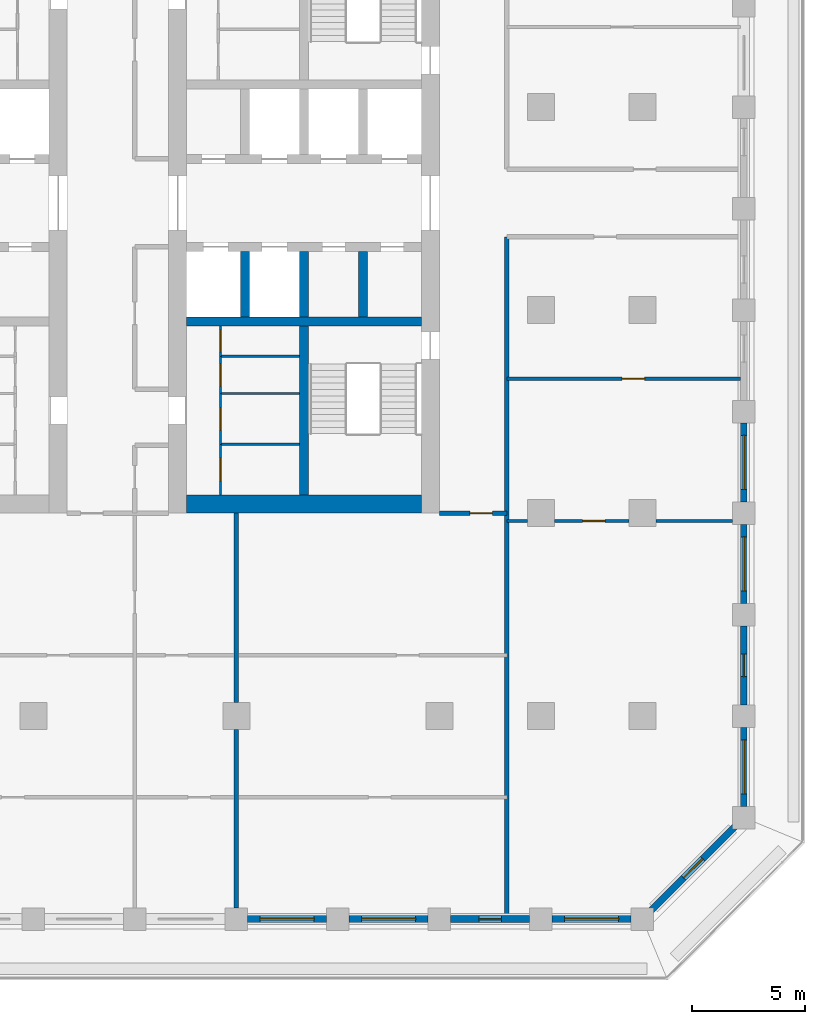
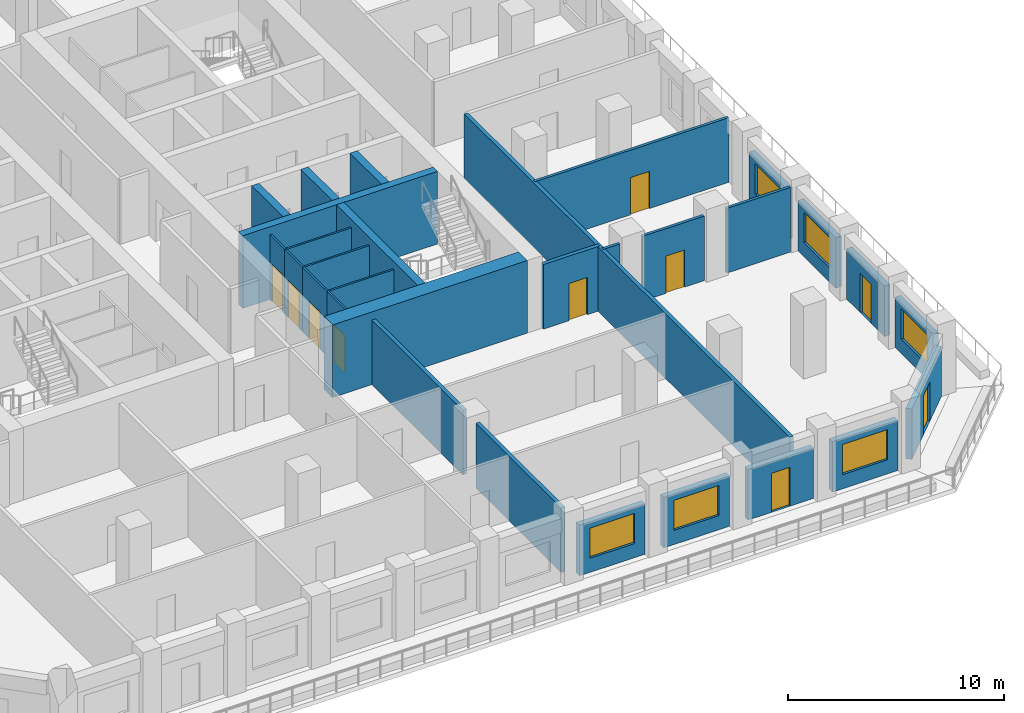
# One storey, part 4 of 16: 30 walls, 10 doors, 6 windows, 16 openings.
"""IFC4 building model written with IfcOpenShell, lengths in metres."""

from ifc_helpers import new_model, si_unit, direction, frame, frame_2d, origin, place, context, subcontext, project, spatial, rectangle, extrude, material, layer, layer_set, type_object, element, fill, save


model = new_model("IFC4")

# Units and contexts
model_context = context("Model", 3, precision=1e-05, world=origin(), true_north=direction((0.0, 1.0)))
body_context = subcontext(model_context, "Body", "Model", "MODEL_VIEW")
ifc_project = project(units=[si_unit("LENGTHUNIT", "METRE"), si_unit("AREAUNIT", "SQUARE_METRE"), si_unit("VOLUMEUNIT", "CUBIC_METRE"), si_unit("PLANEANGLEUNIT", "RADIAN"), si_unit("MASSUNIT", "GRAM", prefix="KILO")], contexts=[model_context])

# Site, building, storey
site_placement = place(None, origin())
site = spatial("IfcSite", under=ifc_project, at=site_placement, CompositionType="ELEMENT")
building_placement = place(site_placement, origin())
building = spatial("IfcBuilding", under=site, at=building_placement, Name="Corbel Stack Research Tower", CompositionType="ELEMENT")
storey_placement = place(building_placement, frame((0.0, 0.0, 212.0)))
storey = spatial("IfcBuildingStorey", under=building, at=storey_placement, Name="L48", CompositionType="ELEMENT", Elevation=212.0)

# Walls
ifc_material_1 = material(Name="Concrete C60/75", Category="concrete")
ifc_layer_1 = layer(ifc_material_1, 0.39990234375)
ifc_layer_set_1 = layer_set([ifc_layer_1], Name="Concrete C60/75")
wall_type_1 = type_object("IfcWallType", Name="CW-400-60", PredefinedType="SHEAR", material=ifc_layer_set_1)
wall_1_placement = place(storey_placement, frame((6.800048828125, -0.5, 0.0), z_axis=(0.0, 0.0, 1.0), x_axis=(1.0, 0.0, 0.0)))
element("IfcWall", 1, at=wall_1_placement, inside=storey, type_object=wall_type_1, Name="East core wall, south row back L48", PredefinedType="SHEAR", context=body_context, shape_type="SweptSolid", body=[
    extrude(rectangle(XDim=10.39990234375, YDim=0.39990234375, at=frame_2d((5.199951171875, 0.0))), origin(), (0.0, 0.0, 1.0), 4.10009765625),
])
for number, where, z_axis, x_axis, name in (
    (2, (9.375, -0.300048828125, 0.0), (0.0, 0.0, 1.0), (0.0, 1.0, 0.0), "East core wall, south shaft 1 L48"),
    (3, (12.0, -0.300048828125, 0.0), (0.0, 0.0, 1.0), (0.0, 1.0, 0.0), "East core wall, south shaft 2 L48"),
    (4, (14.625, -0.300048828125, 0.0), (0.0, 0.0, 1.0), (0.0, 1.0, 0.0), "East core wall, south shaft 3 L48"),
):
    element("IfcWall", number, at=place(storey_placement, frame(where, z_axis=z_axis, x_axis=x_axis)), inside=storey, type_object=wall_type_1, Name=name, PredefinedType="SHEAR", context=body_context, shape_type="SweptSolid", body=[
        extrude(rectangle(XDim=2.900146484375, YDim=0.39990234375, at=frame_2d((1.4501953125, 0.0))), origin(), (0.0, 0.0, 1.0), 4.10009765625),
    ])
wall_2_placement = place(storey_placement, frame((12.0, -8.199951171875, 0.0), z_axis=(0.0, 0.0, 1.0), x_axis=(0.0, 1.0, 0.0)))
element("IfcWall", 5, at=wall_2_placement, inside=storey, type_object=wall_type_1, Name="East core wall, south stair and WC L48", PredefinedType="SHEAR", context=body_context, shape_type="SweptSolid", body=[
    extrude(rectangle(XDim=7.5, YDim=0.39990234375, at=frame_2d((3.75, 0.0))), origin(), (0.0, 0.0, 1.0), 4.10009765625),
])
ifc_material_2 = material(Name="Concrete C60/75", Category="concrete")
ifc_layer_2 = layer(ifc_material_2, 0.800048828125)
ifc_layer_set_2 = layer_set([ifc_layer_2], Name="Concrete C60/75")
wall_type_2 = type_object("IfcWallType", Name="CW-800-60", PredefinedType="SHEAR", material=ifc_layer_set_2)
wall_3_placement = place(storey_placement, frame((6.800048828125, -8.60009765625, 0.0), z_axis=(0.0, 0.0, 1.0), x_axis=(1.0, 0.0, 0.0)))
element("IfcWall", 6, at=wall_3_placement, inside=storey, type_object=wall_type_2, Name="East core wall, south end L48", PredefinedType="SHEAR", context=body_context, shape_type="SweptSolid", body=[
    extrude(rectangle(XDim=10.39990234375, YDim=0.800048828125, at=frame_2d((5.199951171875, 0.0))), origin(), (0.0, 0.0, 1.0), 4.10009765625),
])

# Wall, opening, door
ifc_material_3 = material(Name="Gypsum board")
ifc_layer_3 = layer(ifc_material_3, 0.10009765625)
ifc_layer_set_3 = layer_set([ifc_layer_3], Name="Gypsum board")
wall_type_3 = type_object("IfcWallType", Name="Core partition 100", PredefinedType="PARTITIONING", material=ifc_layer_set_3)
wall_4_placement = place(storey_placement, frame((8.300048828125, -8.199951171875, 0.0), z_axis=(0.0, 0.0, 1.0), x_axis=(0.0, 1.0, 0.0)))
wall_4 = element("IfcWall", 7, at=wall_4_placement, inside=storey, type_object=wall_type_3, Name="Core partition E", PredefinedType="PARTITIONING", context=body_context, shape_type="SweptSolid", body=[
    extrude(rectangle(XDim=2.25, YDim=0.10009765625, at=frame_2d((1.125, 0.0))), origin(), (0.0, 0.0, 1.0), 3.64990234375),
])
opening_1_placement = place(wall_4_placement, frame((0.625, 0.0, 0.0)))
opening_1 = element("IfcOpeningElement", 8, at=opening_1_placement, cuts=wall_4, Name="Opening CR-E42-W2-1000", PredefinedType="OPENING", context=body_context, shape_type="SweptSolid", body=[
    extrude(rectangle(XDim=1.0, YDim=2.10009765625, at=frame_2d((0.5, 1.050048828125))), frame((0.0, 0.06005859375, 0.0), z_axis=(0.0, -1.0, 0.0), x_axis=(1.0, 0.0, 0.0)), (0.0, 0.0, 1.0), 0.1201171875),
])
ifc_material_4 = material(Name="Painted timber door", Category="wood")
door_type_1 = type_object("IfcDoorType", Name="WC door 1000 x 2100 left hand", OperationType="SINGLE_SWING_LEFT", PredefinedType="DOOR", material=ifc_material_4)
door_1_placement = place(opening_1_placement, origin())
door_1 = element("IfcDoor", 9, at=door_1_placement, inside=storey, type_object=door_type_1, Name="Men's WC door E core", OperationType="SINGLE_SWING_LEFT", OverallHeight=2.10009765625, OverallWidth=1.0, PredefinedType="DOOR", context=body_context, shape_type="SweptSolid", body=[
    extrude(rectangle(XDim=1.0, YDim=2.10009765625, at=frame_2d((0.5, 1.050048828125))), frame((0.0, 0.02490234375, 0.0), z_axis=(0.0, -1.0, 0.0), x_axis=(1.0, 0.0, 0.0)), (0.0, 0.0, 1.0), 0.050048828125),
])
fill(opening_1, door_1)

wall_5_placement = place(storey_placement, frame((8.300048828125, -5.949951171875, 0.0), z_axis=(0.0, 0.0, 1.0), x_axis=(0.0, 1.0, 0.0)))
wall_5 = element("IfcWall", 10, at=wall_5_placement, inside=storey, type_object=wall_type_3, Name="Core partition E", PredefinedType="PARTITIONING", context=body_context, shape_type="SweptSolid", body=[
    extrude(rectangle(XDim=2.25, YDim=0.10009765625, at=frame_2d((1.125, 0.0))), origin(), (0.0, 0.0, 1.0), 3.64990234375),
])
opening_2_placement = place(wall_5_placement, frame((0.625, 0.0, 0.0)))
opening_2 = element("IfcOpeningElement", 11, at=opening_2_placement, cuts=wall_5, Name="Opening CR-E42-W3-1000", PredefinedType="OPENING", context=body_context, shape_type="SweptSolid", body=[
    extrude(rectangle(XDim=1.0, YDim=2.10009765625, at=frame_2d((0.5, 1.050048828125))), frame((0.0, 0.06005859375, 0.0), z_axis=(0.0, -1.0, 0.0), x_axis=(1.0, 0.0, 0.0)), (0.0, 0.0, 1.0), 0.1201171875),
])
ifc_material_5 = material(Name="Painted timber door", Category="wood")
door_type_2 = type_object("IfcDoorType", Name="WC door 1000 x 2100 right hand", OperationType="SINGLE_SWING_RIGHT", PredefinedType="DOOR", material=ifc_material_5)
door_2_placement = place(opening_2_placement, origin())
door_2 = element("IfcDoor", 12, at=door_2_placement, inside=storey, type_object=door_type_2, Name="Women's WC door E core", OperationType="SINGLE_SWING_RIGHT", OverallHeight=2.10009765625, OverallWidth=1.0, PredefinedType="DOOR", context=body_context, shape_type="SweptSolid", body=[
    extrude(rectangle(XDim=1.0, YDim=2.10009765625, at=frame_2d((0.5, 1.050048828125))), frame((0.0, 0.02490234375, 0.0), z_axis=(0.0, -1.0, 0.0), x_axis=(1.0, 0.0, 0.0)), (0.0, 0.0, 1.0), 0.050048828125),
])
fill(opening_2, door_2)

wall_6_placement = place(storey_placement, frame((8.300048828125, -3.699951171875, 0.0), z_axis=(0.0, 0.0, 1.0), x_axis=(0.0, 1.0, 0.0)))
wall_6 = element("IfcWall", 13, at=wall_6_placement, inside=storey, type_object=wall_type_3, Name="Core partition E", PredefinedType="PARTITIONING", context=body_context, shape_type="SweptSolid", body=[
    extrude(rectangle(XDim=1.64990234375, YDim=0.10009765625, at=frame_2d((0.824951171875, 0.0))), origin(), (0.0, 0.0, 1.0), 3.64990234375),
])
opening_3_placement = place(wall_6_placement, frame((0.324951171875, 0.0, 0.0)))
opening_3 = element("IfcOpeningElement", 14, at=opening_3_placement, cuts=wall_6, Name="Opening CR-E42-W4-1000", PredefinedType="OPENING", context=body_context, shape_type="SweptSolid", body=[
    extrude(rectangle(XDim=1.0, YDim=2.10009765625, at=frame_2d((0.5, 1.050048828125))), frame((0.0, 0.06005859375, 0.0), z_axis=(0.0, -1.0, 0.0), x_axis=(1.0, 0.0, 0.0)), (0.0, 0.0, 1.0), 0.1201171875),
])
door_3_placement = place(opening_3_placement, origin())
door_3 = element("IfcDoor", 15, at=door_3_placement, inside=storey, type_object=door_type_1, Name="Accessible WC door E core", OperationType="SINGLE_SWING_LEFT", OverallHeight=2.10009765625, OverallWidth=1.0, PredefinedType="DOOR", context=body_context, shape_type="SweptSolid", body=[
    extrude(rectangle(XDim=1.0, YDim=2.10009765625, at=frame_2d((0.5, 1.050048828125))), frame((0.0, 0.02490234375, 0.0), z_axis=(0.0, -1.0, 0.0), x_axis=(1.0, 0.0, 0.0)), (0.0, 0.0, 1.0), 0.050048828125),
])
fill(opening_3, door_3)

wall_7_placement = place(storey_placement, frame((8.300048828125, -2.050048828125, 0.0), z_axis=(0.0, 0.0, 1.0), x_axis=(0.0, 1.0, 0.0)))
wall_7 = element("IfcWall", 16, at=wall_7_placement, inside=storey, type_object=wall_type_3, Name="Core partition E", PredefinedType="PARTITIONING", context=body_context, shape_type="SweptSolid", body=[
    extrude(rectangle(XDim=1.35009765625, YDim=0.10009765625, at=frame_2d((0.675048828125, 0.0))), origin(), (0.0, 0.0, 1.0), 3.64990234375),
])
opening_4_placement = place(wall_7_placement, frame((0.199951171875, 0.0, 0.0)))
opening_4 = element("IfcOpeningElement", 17, at=opening_4_placement, cuts=wall_7, Name="Opening CR-E42-W5-950", PredefinedType="OPENING", context=body_context, shape_type="SweptSolid", body=[
    extrude(rectangle(XDim=0.949951171875, YDim=2.10009765625, at=frame_2d((0.47509765625, 1.050048828125))), frame((0.0, 0.06005859375, 0.0), z_axis=(0.0, -1.0, 0.0), x_axis=(1.0, 0.0, 0.0)), (0.0, 0.0, 1.0), 0.1201171875),
])
ifc_material_6 = material(Name="Painted steel door", Category="steel")
door_type_3 = type_object("IfcDoorType", Name="Service door 950 x 2100 FD30 right hand", OperationType="SINGLE_SWING_RIGHT", PredefinedType="DOOR", material=ifc_material_6)
door_4_placement = place(opening_4_placement, origin())
door_4 = element("IfcDoor", 18, at=door_4_placement, inside=storey, type_object=door_type_3, Name="Cleaner's store door E core", OperationType="SINGLE_SWING_RIGHT", OverallHeight=2.10009765625, OverallWidth=0.949951171875, PredefinedType="DOOR", context=body_context, shape_type="SweptSolid", body=[
    extrude(rectangle(XDim=0.949951171875, YDim=2.10009765625, at=frame_2d((0.47509765625, 1.050048828125))), frame((0.0, 0.02490234375, 0.0), z_axis=(0.0, -1.0, 0.0), x_axis=(1.0, 0.0, 0.0)), (0.0, 0.0, 1.0), 0.050048828125),
])
fill(opening_4, door_4)

# Walls
for number, where, z_axis, x_axis, name in (
    (19, (8.300048828125, -5.949951171875, 0.0), (0.0, 0.0, 1.0), (1.0, 0.0, 0.0), "Core partition E"),
    (20, (8.300048828125, -3.699951171875, 0.0), (0.0, 0.0, 1.0), (1.0, 0.0, 0.0), "Core partition E"),
    (21, (8.300048828125, -2.050048828125, 0.0), (0.0, 0.0, 1.0), (1.0, 0.0, 0.0), "Core partition E"),
):
    element("IfcWall", number, at=place(storey_placement, frame(where, z_axis=z_axis, x_axis=x_axis)), inside=storey, type_object=wall_type_3, Name=name, PredefinedType="PARTITIONING", context=body_context, shape_type="SweptSolid", body=[
        extrude(rectangle(XDim=3.5, YDim=0.10009765625, at=frame_2d((1.75, 0.0))), origin(), (0.0, 0.0, 1.0), 3.64990234375),
    ])
ifc_material_7 = material(Name="Fire-rated gypsum board partition on steel studs", Category="steel")
ifc_layer_4 = layer(ifc_material_7, 0.199951171875)
ifc_layer_set_4 = layer_set([ifc_layer_4], Name="Fire-rated gypsum board partition on steel studs")
wall_type_4 = type_object("IfcWallType", Name="Fire-rated partition 200 EI 60", PredefinedType="PARTITIONING", material=ifc_layer_set_4)
wall_8_placement = place(storey_placement, frame((9.0, -26.5, 0.0), z_axis=(0.0, 0.0, 1.0), x_axis=(0.0, 1.0, 0.0)))
element("IfcWall", 22, at=wall_8_placement, inside=storey, type_object=wall_type_4, Name="Partition L48-010", PredefinedType="PARTITIONING", context=body_context, shape_type="SweptSolid", body=[
    extrude(rectangle(XDim=7.89990234375, YDim=0.199951171875, at=frame_2d((3.949951171875, 0.0))), origin(), (0.0, 0.0, 1.0), 3.64990234375),
])
wall_9_placement = place(storey_placement, frame((9.0, -17.39990234375, 0.0), z_axis=(0.0, 0.0, 1.0), x_axis=(0.0, 1.0, 0.0)))
element("IfcWall", 23, at=wall_9_placement, inside=storey, type_object=wall_type_4, Name="Partition L48-011", PredefinedType="PARTITIONING", context=body_context, shape_type="SweptSolid", body=[
    extrude(rectangle(XDim=8.39990234375, YDim=0.199951171875, at=frame_2d((4.199951171875, 0.0))), origin(), (0.0, 0.0, 1.0), 3.64990234375),
])
wall_10_placement = place(storey_placement, frame((21.0, -26.85009765625, 0.0), z_axis=(0.0, 0.0, 1.0), x_axis=(0.0, 1.0, 0.0)))
element("IfcWall", 24, at=wall_10_placement, inside=storey, type_object=wall_type_4, Name="Partition L48-014", PredefinedType="PARTITIONING", context=body_context, shape_type="SweptSolid", body=[
    extrude(rectangle(XDim=30.10009765625, YDim=0.199951171875, at=frame_2d((15.050048828125, 0.0))), origin(), (0.0, 0.0, 1.0), 3.64990234375),
])

# Wall, opening, door
wall_11_placement = place(storey_placement, frame((21.0, -9.0, 0.0), z_axis=(0.0, 0.0, 1.0), x_axis=(-1.0, 0.0, 0.0)))
wall_11 = element("IfcWall", 25, at=wall_11_placement, inside=storey, type_object=wall_type_4, Name="Partition L48-025", PredefinedType="PARTITIONING", context=body_context, shape_type="SweptSolid", body=[
    extrude(rectangle(XDim=3.0, YDim=0.199951171875, at=frame_2d((1.5, 0.0))), origin(), (0.0, 0.0, 1.0), 3.64990234375),
])
opening_5_placement = place(wall_11_placement, frame((0.64990234375, 0.0, 0.0)))
opening_5 = element("IfcOpeningElement", 26, at=opening_5_placement, cuts=wall_11, Name="Opening B6V1-013", PredefinedType="OPENING", context=body_context, shape_type="SweptSolid", body=[
    extrude(rectangle(XDim=1.0, YDim=2.10009765625, at=frame_2d((0.5, 1.050048828125))), frame((0.0, 0.10986328125, 0.0), z_axis=(0.0, -1.0, 0.0), x_axis=(1.0, 0.0, 0.0)), (0.0, 0.0, 1.0), 0.219970703125),
])
ifc_material_8 = material(Name="Painted steel fire door", Category="steel")
door_type_4 = type_object("IfcDoorType", Name="Fire door FD30S 1000 x 2100", OperationType="NOTDEFINED", PredefinedType="DOOR", material=ifc_material_8)
door_5_placement = place(opening_5_placement, origin())
door_5 = element("IfcDoor", 27, at=door_5_placement, inside=storey, type_object=door_type_4, Name="Door B6V1-013", OperationType="SINGLE_SWING_LEFT", OverallHeight=2.10009765625, OverallWidth=1.0, PredefinedType="DOOR", context=body_context, shape_type="SweptSolid", body=[
    extrude(rectangle(XDim=1.0, YDim=2.10009765625, at=frame_2d((0.5, 1.050048828125))), frame((0.0, 0.02490234375, 0.0), z_axis=(0.0, -1.0, 0.0), x_axis=(1.0, 0.0, 0.0)), (0.0, 0.0, 1.0), 0.050048828125),
])
fill(opening_5, door_5)

# Wall
ifc_material_9 = material(Name="Gypsum board partition on steel studs", Category="steel")
ifc_layer_5 = layer(ifc_material_9, 0.14990234375)
ifc_layer_set_5 = layer_set([ifc_layer_5], Name="Gypsum board partition on steel studs")
wall_type_5 = type_object("IfcWallType", Name="Partition 150", PredefinedType="PARTITIONING", material=ifc_layer_set_5)
wall_12_placement = place(storey_placement, frame((21.0, -9.35009765625, 0.0), z_axis=(0.0, 0.0, 1.0), x_axis=(1.0, 0.0, 0.0)))
element("IfcWall", 28, at=wall_12_placement, inside=storey, type_object=wall_type_5, Name="Partition L48-020", PredefinedType="PARTITIONING", context=body_context, shape_type="SweptSolid", body=[
    extrude(rectangle(XDim=0.89990234375, YDim=0.14990234375, at=frame_2d((0.449951171875, 0.0))), origin(), (0.0, 0.0, 1.0), 3.64990234375),
])

# Wall, opening, door
wall_13_placement = place(storey_placement, frame((26.39990234375, -9.35009765625, 0.0), z_axis=(0.0, 0.0, 1.0), x_axis=(-1.0, 0.0, 0.0)))
wall_13 = element("IfcWall", 29, at=wall_13_placement, inside=storey, type_object=wall_type_5, Name="Partition L48-021", PredefinedType="PARTITIONING", context=body_context, shape_type="SweptSolid", body=[
    extrude(rectangle(XDim=3.2998046875, YDim=0.14990234375, at=frame_2d((1.64990234375, 0.0))), origin(), (0.0, 0.0, 1.0), 3.64990234375),
])
opening_6_placement = place(wall_13_placement, frame((1.050048828125, 0.0, 0.0)))
opening_6 = element("IfcOpeningElement", 30, at=opening_6_placement, cuts=wall_13, Name="Opening B6V1-010", PredefinedType="OPENING", context=body_context, shape_type="SweptSolid", body=[
    extrude(rectangle(XDim=1.0, YDim=2.10009765625, at=frame_2d((0.5, 1.050048828125))), frame((0.0, 0.0849609375, 0.0), z_axis=(0.0, -1.0, 0.0), x_axis=(1.0, 0.0, 0.0)), (0.0, 0.0, 1.0), 0.169921875),
])
ifc_material_10 = material(Name="Painted timber door", Category="wood")
door_type_5 = type_object("IfcDoorType", Name="Single door 1000 x 2100", OperationType="NOTDEFINED", PredefinedType="DOOR", material=ifc_material_10)
door_6_placement = place(opening_6_placement, origin())
door_6 = element("IfcDoor", 31, at=door_6_placement, inside=storey, type_object=door_type_5, Name="Door B6V1-010", OperationType="SINGLE_SWING_LEFT", OverallHeight=2.10009765625, OverallWidth=1.0, PredefinedType="DOOR", context=body_context, shape_type="SweptSolid", body=[
    extrude(rectangle(XDim=1.0, YDim=2.10009765625, at=frame_2d((0.5, 1.050048828125))), frame((0.0, 0.02490234375, 0.0), z_axis=(0.0, -1.0, 0.0), x_axis=(1.0, 0.0, 0.0)), (0.0, 0.0, 1.0), 0.050048828125),
])
fill(opening_6, door_6)

# Wall
wall_14_placement = place(storey_placement, frame((27.60009765625, -9.35009765625, 0.0), z_axis=(0.0, 0.0, 1.0), x_axis=(1.0, 0.0, 0.0)))
element("IfcWall", 32, at=wall_14_placement, inside=storey, type_object=wall_type_5, Name="Partition L48-022", PredefinedType="PARTITIONING", context=body_context, shape_type="SweptSolid", body=[
    extrude(rectangle(XDim=3.39990234375, YDim=0.14990234375, at=frame_2d((1.699951171875, 0.0))), origin(), (0.0, 0.0, 1.0), 3.64990234375),
])

# Wall, opening, door
wall_15_placement = place(storey_placement, frame((31.35009765625, -3.050048828125, 0.0), z_axis=(0.0, 0.0, 1.0), x_axis=(-1.0, 0.0, 0.0)))
wall_15 = element("IfcWall", 33, at=wall_15_placement, inside=storey, type_object=wall_type_5, Name="Partition L48-029", PredefinedType="PARTITIONING", context=body_context, shape_type="SweptSolid", body=[
    extrude(rectangle(XDim=10.35009765625, YDim=0.14990234375, at=frame_2d((5.175048828125, 0.0))), origin(), (0.0, 0.0, 1.0), 3.64990234375),
])
opening_7_placement = place(wall_15_placement, frame((4.25, 0.0, 0.0)))
opening_7 = element("IfcOpeningElement", 34, at=opening_7_placement, cuts=wall_15, Name="Opening B6V1-015", PredefinedType="OPENING", context=body_context, shape_type="SweptSolid", body=[
    extrude(rectangle(XDim=1.0, YDim=2.10009765625, at=frame_2d((0.5, 1.050048828125))), frame((0.0, 0.0849609375, 0.0), z_axis=(0.0, -1.0, 0.0), x_axis=(1.0, 0.0, 0.0)), (0.0, 0.0, 1.0), 0.169921875),
])
door_7_placement = place(opening_7_placement, origin())
door_7 = element("IfcDoor", 35, at=door_7_placement, inside=storey, type_object=door_type_5, Name="Door B6V1-015", OperationType="SINGLE_SWING_LEFT", OverallHeight=2.10009765625, OverallWidth=1.0, PredefinedType="DOOR", context=body_context, shape_type="SweptSolid", body=[
    extrude(rectangle(XDim=1.0, YDim=2.10009765625, at=frame_2d((0.5, 1.050048828125))), frame((0.0, 0.02490234375, 0.0), z_axis=(0.0, -1.0, 0.0), x_axis=(1.0, 0.0, 0.0)), (0.0, 0.0, 1.0), 0.050048828125),
])
fill(opening_7, door_7)

# Wall, opening, window
ifc_material_11 = material(Name="Concrete C45/55", Category="concrete")
ifc_layer_6 = layer(ifc_material_11, 0.300048828125)
ifc_layer_set_6 = layer_set([ifc_layer_6], Name="Concrete C45/55")
wall_type_6 = type_object("IfcWallType", Name="Terracotta-faced concrete wall 300", PredefinedType="SOLIDWALL", material=ifc_layer_set_6)
wall_16_placement = place(storey_placement, frame((13.0, -27.0, 0.0), z_axis=(0.0, 0.0, 1.0), x_axis=(-1.0, 0.0, 0.0)))
wall_16 = element("IfcWall", 36, at=wall_16_placement, inside=storey, type_object=wall_type_6, Name="Facade wall L48 S07", PredefinedType="SOLIDWALL", context=body_context, shape_type="SweptSolid", body=[
    extrude(rectangle(XDim=3.5, YDim=0.300048828125, at=frame_2d((1.75, 0.0))), origin(), (0.0, 0.0, 1.0), 2.85009765625),
])
opening_8_placement = place(wall_16_placement, frame((0.550048828125, 0.0, 0.800048828125)))
opening_8 = element("IfcOpeningElement", 37, at=opening_8_placement, cuts=wall_16, Name="Opening W1", PredefinedType="OPENING", context=body_context, shape_type="SweptSolid", body=[
    extrude(rectangle(XDim=2.39990234375, YDim=1.699951171875, at=frame_2d((1.199951171875, 0.85009765625))), frame((0.0, 0.159912109375, 0.0), z_axis=(0.0, -1.0, 0.0), x_axis=(1.0, 0.0, 0.0)), (0.0, 0.0, 1.0), 0.320068359375),
])
ifc_material_12 = material(Name="Aluminium frame, clear double glazing", Category="aluminium")
window_type = type_object("IfcWindowType", Name="Window W1 2400 x 1700", PartitioningType="SINGLE_PANEL", PredefinedType="WINDOW", material=ifc_material_12)
window_1_placement = place(opening_8_placement, origin())
window_1 = element("IfcWindow", 38, at=window_1_placement, inside=storey, type_object=window_type, Name="Window W1 L48 S07", OverallHeight=1.699951171875, OverallWidth=2.39990234375, PartitioningType="SINGLE_PANEL", PredefinedType="WINDOW", context=body_context, shape_type="SweptSolid", body=[
    extrude(rectangle(XDim=2.39990234375, YDim=1.699951171875, at=frame_2d((1.199951171875, 0.85009765625))), frame((0.0, 0.030029296875, 0.0), z_axis=(0.0, -1.0, 0.0), x_axis=(1.0, 0.0, 0.0)), (0.0, 0.0, 1.0), 0.06005859375),
])
fill(opening_8, window_1)

wall_17_placement = place(storey_placement, frame((17.5, -27.0, 0.0), z_axis=(0.0, 0.0, 1.0), x_axis=(-1.0, 0.0, 0.0)))
wall_17 = element("IfcWall", 39, at=wall_17_placement, inside=storey, type_object=wall_type_6, Name="Facade wall L48 S08", PredefinedType="SOLIDWALL", context=body_context, shape_type="SweptSolid", body=[
    extrude(rectangle(XDim=3.5, YDim=0.300048828125, at=frame_2d((1.75, 0.0))), origin(), (0.0, 0.0, 1.0), 2.85009765625),
])
opening_9_placement = place(wall_17_placement, frame((0.550048828125, 0.0, 0.800048828125)))
opening_9 = element("IfcOpeningElement", 40, at=opening_9_placement, cuts=wall_17, Name="Opening W1", PredefinedType="OPENING", context=body_context, shape_type="SweptSolid", body=[
    extrude(rectangle(XDim=2.39990234375, YDim=1.699951171875, at=frame_2d((1.199951171875, 0.85009765625))), frame((0.0, 0.159912109375, 0.0), z_axis=(0.0, -1.0, 0.0), x_axis=(1.0, 0.0, 0.0)), (0.0, 0.0, 1.0), 0.320068359375),
])
window_2_placement = place(opening_9_placement, origin())
window_2 = element("IfcWindow", 41, at=window_2_placement, inside=storey, type_object=window_type, Name="Window W1 L48 S08", OverallHeight=1.699951171875, OverallWidth=2.39990234375, PartitioningType="SINGLE_PANEL", PredefinedType="WINDOW", context=body_context, shape_type="SweptSolid", body=[
    extrude(rectangle(XDim=2.39990234375, YDim=1.699951171875, at=frame_2d((1.199951171875, 0.85009765625))), frame((0.0, 0.030029296875, 0.0), z_axis=(0.0, -1.0, 0.0), x_axis=(1.0, 0.0, 0.0)), (0.0, 0.0, 1.0), 0.06005859375),
])
fill(opening_9, window_2)

# Wall, opening, door
wall_18_placement = place(storey_placement, frame((22.0, -27.0, 0.0), z_axis=(0.0, 0.0, 1.0), x_axis=(-1.0, 0.0, 0.0)))
wall_18 = element("IfcWall", 42, at=wall_18_placement, inside=storey, type_object=wall_type_6, Name="Facade wall L48 S09", PredefinedType="SOLIDWALL", context=body_context, shape_type="SweptSolid", body=[
    extrude(rectangle(XDim=3.5, YDim=0.300048828125, at=frame_2d((1.75, 0.0))), origin(), (0.0, 0.0, 1.0), 2.85009765625),
])
opening_10_placement = place(wall_18_placement, frame((1.25, 0.0, 0.0)))
opening_10 = element("IfcOpeningElement", 43, at=opening_10_placement, cuts=wall_18, Name="Opening L48-B02", PredefinedType="OPENING", context=body_context, shape_type="SweptSolid", body=[
    extrude(rectangle(XDim=1.0, YDim=2.199951171875, at=frame_2d((0.5, 1.10009765625))), frame((0.0, 0.159912109375, 0.0), z_axis=(0.0, -1.0, 0.0), x_axis=(1.0, 0.0, 0.0)), (0.0, 0.0, 1.0), 0.320068359375),
])
ifc_material_13 = material(Name="Aluminium frame, clear double glazing", Category="aluminium")
door_type_6 = type_object("IfcDoorType", Name="Balcony door BD1 1000 x 2200", OperationType="NOTDEFINED", PredefinedType="DOOR", material=ifc_material_13)
door_8_placement = place(opening_10_placement, origin())
door_8 = element("IfcDoor", 44, at=door_8_placement, inside=storey, type_object=door_type_6, Name="Balcony door L48-B02", OperationType="SINGLE_SWING_LEFT", OverallHeight=2.199951171875, OverallWidth=1.0, PredefinedType="DOOR", context=body_context, shape_type="SweptSolid", body=[
    extrude(rectangle(XDim=1.0, YDim=2.199951171875, at=frame_2d((0.5, 1.10009765625))), frame((0.0, 0.02490234375, 0.0), z_axis=(0.0, -1.0, 0.0), x_axis=(1.0, 0.0, 0.0)), (0.0, 0.0, 1.0), 0.050048828125),
])
fill(opening_10, door_8)

# Wall, opening, window
wall_19_placement = place(storey_placement, frame((26.5, -27.0, 0.0), z_axis=(0.0, 0.0, 1.0), x_axis=(-1.0, 0.0, 0.0)))
wall_19 = element("IfcWall", 45, at=wall_19_placement, inside=storey, type_object=wall_type_6, Name="Facade wall L48 S10", PredefinedType="SOLIDWALL", context=body_context, shape_type="SweptSolid", body=[
    extrude(rectangle(XDim=3.5, YDim=0.300048828125, at=frame_2d((1.75, 0.0))), origin(), (0.0, 0.0, 1.0), 2.85009765625),
])
opening_11_placement = place(wall_19_placement, frame((0.550048828125, 0.0, 0.800048828125)))
opening_11 = element("IfcOpeningElement", 46, at=opening_11_placement, cuts=wall_19, Name="Opening W1", PredefinedType="OPENING", context=body_context, shape_type="SweptSolid", body=[
    extrude(rectangle(XDim=2.39990234375, YDim=1.699951171875, at=frame_2d((1.199951171875, 0.85009765625))), frame((0.0, 0.159912109375, 0.0), z_axis=(0.0, -1.0, 0.0), x_axis=(1.0, 0.0, 0.0)), (0.0, 0.0, 1.0), 0.320068359375),
])
window_3_placement = place(opening_11_placement, origin())
window_3 = element("IfcWindow", 47, at=window_3_placement, inside=storey, type_object=window_type, Name="Window W1 L48 S10", OverallHeight=1.699951171875, OverallWidth=2.39990234375, PartitioningType="SINGLE_PANEL", PredefinedType="WINDOW", context=body_context, shape_type="SweptSolid", body=[
    extrude(rectangle(XDim=2.39990234375, YDim=1.699951171875, at=frame_2d((1.199951171875, 0.85009765625))), frame((0.0, 0.030029296875, 0.0), z_axis=(0.0, -1.0, 0.0), x_axis=(1.0, 0.0, 0.0)), (0.0, 0.0, 1.0), 0.06005859375),
])
fill(opening_11, window_3)

# Wall, opening, door
wall_20_placement = place(storey_placement, frame((31.106201171875, -22.893798828125, 0.0), z_axis=(0.0, 0.0, 1.0), x_axis=(-0.707106781187, -0.707106781187, 0.0)))
wall_20 = element("IfcWall", 48, at=wall_20_placement, inside=storey, type_object=wall_type_6, Name="Facade wall L48 SE01", PredefinedType="SOLIDWALL", context=body_context, shape_type="SweptSolid", body=[
    extrude(rectangle(XDim=5.250244140625, YDim=0.300048828125, at=frame_2d((2.625, 0.0))), origin(), (0.0, 0.0, 1.0), 2.85009765625),
])
opening_12_placement = place(wall_20_placement, frame((2.02490234375, 0.0, 0.0)))
opening_12 = element("IfcOpeningElement", 49, at=opening_12_placement, cuts=wall_20, Name="Opening L48-B03", PredefinedType="OPENING", context=body_context, shape_type="SweptSolid", body=[
    extrude(rectangle(XDim=1.199951171875, YDim=2.199951171875, at=frame_2d((0.60009765625, 1.10009765625))), frame((0.0, 0.159912109375, 0.0), z_axis=(0.0, -1.0, 0.0), x_axis=(1.0, 0.0, 0.0)), (0.0, 0.0, 1.0), 0.320068359375),
])
ifc_material_14 = material(Name="Aluminium frame, clear double glazing", Category="aluminium")
door_type_7 = type_object("IfcDoorType", Name="Balcony door BD2 1200 x 2200", OperationType="NOTDEFINED", PredefinedType="DOOR", material=ifc_material_14)
door_9_placement = place(opening_12_placement, origin())
door_9 = element("IfcDoor", 50, at=door_9_placement, inside=storey, type_object=door_type_7, Name="Balcony door L48-B03", OperationType="SINGLE_SWING_LEFT", OverallHeight=2.199951171875, OverallWidth=1.199951171875, PredefinedType="DOOR", context=body_context, shape_type="SweptSolid", body=[
    extrude(rectangle(XDim=1.199951171875, YDim=2.199951171875, at=frame_2d((0.60009765625, 1.10009765625))), frame((0.0, 0.02490234375, 0.0), z_axis=(0.0, -1.0, 0.0), x_axis=(1.0, 0.0, 0.0)), (0.0, 0.0, 1.0), 0.050048828125),
])
fill(opening_12, door_9)

# Wall, opening, window
wall_21_placement = place(storey_placement, frame((31.5, -18.5, 0.0), z_axis=(0.0, 0.0, 1.0), x_axis=(0.0, -1.0, 0.0)))
wall_21 = element("IfcWall", 51, at=wall_21_placement, inside=storey, type_object=wall_type_6, Name="Facade wall L48 E01", PredefinedType="SOLIDWALL", context=body_context, shape_type="SweptSolid", body=[
    extrude(rectangle(XDim=3.5, YDim=0.300048828125, at=frame_2d((1.75, 0.0))), origin(), (0.0, 0.0, 1.0), 2.85009765625),
])
opening_13_placement = place(wall_21_placement, frame((0.550048828125, 0.0, 0.800048828125)))
opening_13 = element("IfcOpeningElement", 52, at=opening_13_placement, cuts=wall_21, Name="Opening W1", PredefinedType="OPENING", context=body_context, shape_type="SweptSolid", body=[
    extrude(rectangle(XDim=2.39990234375, YDim=1.699951171875, at=frame_2d((1.199951171875, 0.85009765625))), frame((0.0, 0.159912109375, 0.0), z_axis=(0.0, -1.0, 0.0), x_axis=(1.0, 0.0, 0.0)), (0.0, 0.0, 1.0), 0.320068359375),
])
window_4_placement = place(opening_13_placement, origin())
window_4 = element("IfcWindow", 53, at=window_4_placement, inside=storey, type_object=window_type, Name="Window W1 L48 E01", OverallHeight=1.699951171875, OverallWidth=2.39990234375, PartitioningType="SINGLE_PANEL", PredefinedType="WINDOW", context=body_context, shape_type="SweptSolid", body=[
    extrude(rectangle(XDim=2.39990234375, YDim=1.699951171875, at=frame_2d((1.199951171875, 0.85009765625))), frame((0.0, 0.030029296875, 0.0), z_axis=(0.0, -1.0, 0.0), x_axis=(1.0, 0.0, 0.0)), (0.0, 0.0, 1.0), 0.06005859375),
])
fill(opening_13, window_4)

# Wall, opening, door
wall_22_placement = place(storey_placement, frame((31.5, -14.0, 0.0), z_axis=(0.0, 0.0, 1.0), x_axis=(0.0, -1.0, 0.0)))
wall_22 = element("IfcWall", 54, at=wall_22_placement, inside=storey, type_object=wall_type_6, Name="Facade wall L48 E02", PredefinedType="SOLIDWALL", context=body_context, shape_type="SweptSolid", body=[
    extrude(rectangle(XDim=3.5, YDim=0.300048828125, at=frame_2d((1.75, 0.0))), origin(), (0.0, 0.0, 1.0), 2.85009765625),
])
opening_14_placement = place(wall_22_placement, frame((1.25, 0.0, 0.0)))
opening_14 = element("IfcOpeningElement", 55, at=opening_14_placement, cuts=wall_22, Name="Opening L48-B04", PredefinedType="OPENING", context=body_context, shape_type="SweptSolid", body=[
    extrude(rectangle(XDim=1.0, YDim=2.199951171875, at=frame_2d((0.5, 1.10009765625))), frame((0.0, 0.159912109375, 0.0), z_axis=(0.0, -1.0, 0.0), x_axis=(1.0, 0.0, 0.0)), (0.0, 0.0, 1.0), 0.320068359375),
])
door_10_placement = place(opening_14_placement, origin())
door_10 = element("IfcDoor", 56, at=door_10_placement, inside=storey, type_object=door_type_6, Name="Balcony door L48-B04", OperationType="SINGLE_SWING_RIGHT", OverallHeight=2.199951171875, OverallWidth=1.0, PredefinedType="DOOR", context=body_context, shape_type="SweptSolid", body=[
    extrude(rectangle(XDim=1.0, YDim=2.199951171875, at=frame_2d((0.5, 1.10009765625))), frame((0.0, 0.02490234375, 0.0), z_axis=(0.0, -1.0, 0.0), x_axis=(1.0, 0.0, 0.0)), (0.0, 0.0, 1.0), 0.050048828125),
])
fill(opening_14, door_10)

# Wall, opening, window
wall_23_placement = place(storey_placement, frame((31.5, -9.5, 0.0), z_axis=(0.0, 0.0, 1.0), x_axis=(0.0, -1.0, 0.0)))
wall_23 = element("IfcWall", 57, at=wall_23_placement, inside=storey, type_object=wall_type_6, Name="Facade wall L48 E03", PredefinedType="SOLIDWALL", context=body_context, shape_type="SweptSolid", body=[
    extrude(rectangle(XDim=3.5, YDim=0.300048828125, at=frame_2d((1.75, 0.0))), origin(), (0.0, 0.0, 1.0), 2.85009765625),
])
opening_15_placement = place(wall_23_placement, frame((0.550048828125, 0.0, 0.800048828125)))
opening_15 = element("IfcOpeningElement", 58, at=opening_15_placement, cuts=wall_23, Name="Opening W1", PredefinedType="OPENING", context=body_context, shape_type="SweptSolid", body=[
    extrude(rectangle(XDim=2.39990234375, YDim=1.699951171875, at=frame_2d((1.199951171875, 0.85009765625))), frame((0.0, 0.159912109375, 0.0), z_axis=(0.0, -1.0, 0.0), x_axis=(1.0, 0.0, 0.0)), (0.0, 0.0, 1.0), 0.320068359375),
])
window_5_placement = place(opening_15_placement, origin())
window_5 = element("IfcWindow", 59, at=window_5_placement, inside=storey, type_object=window_type, Name="Window W1 L48 E03", OverallHeight=1.699951171875, OverallWidth=2.39990234375, PartitioningType="SINGLE_PANEL", PredefinedType="WINDOW", context=body_context, shape_type="SweptSolid", body=[
    extrude(rectangle(XDim=2.39990234375, YDim=1.699951171875, at=frame_2d((1.199951171875, 0.85009765625))), frame((0.0, 0.030029296875, 0.0), z_axis=(0.0, -1.0, 0.0), x_axis=(1.0, 0.0, 0.0)), (0.0, 0.0, 1.0), 0.06005859375),
])
fill(opening_15, window_5)

wall_24_placement = place(storey_placement, frame((31.5, -5.0, 0.0), z_axis=(0.0, 0.0, 1.0), x_axis=(0.0, -1.0, 0.0)))
wall_24 = element("IfcWall", 60, at=wall_24_placement, inside=storey, type_object=wall_type_6, Name="Facade wall L48 E04", PredefinedType="SOLIDWALL", context=body_context, shape_type="SweptSolid", body=[
    extrude(rectangle(XDim=3.5, YDim=0.300048828125, at=frame_2d((1.75, 0.0))), origin(), (0.0, 0.0, 1.0), 2.85009765625),
])
opening_16_placement = place(wall_24_placement, frame((0.550048828125, 0.0, 0.800048828125)))
opening_16 = element("IfcOpeningElement", 61, at=opening_16_placement, cuts=wall_24, Name="Opening W1", PredefinedType="OPENING", context=body_context, shape_type="SweptSolid", body=[
    extrude(rectangle(XDim=2.39990234375, YDim=1.699951171875, at=frame_2d((1.199951171875, 0.85009765625))), frame((0.0, 0.159912109375, 0.0), z_axis=(0.0, -1.0, 0.0), x_axis=(1.0, 0.0, 0.0)), (0.0, 0.0, 1.0), 0.320068359375),
])
window_6_placement = place(opening_16_placement, origin())
window_6 = element("IfcWindow", 62, at=window_6_placement, inside=storey, type_object=window_type, Name="Window W1 L48 E04", OverallHeight=1.699951171875, OverallWidth=2.39990234375, PartitioningType="SINGLE_PANEL", PredefinedType="WINDOW", context=body_context, shape_type="SweptSolid", body=[
    extrude(rectangle(XDim=2.39990234375, YDim=1.699951171875, at=frame_2d((1.199951171875, 0.85009765625))), frame((0.0, 0.030029296875, 0.0), z_axis=(0.0, -1.0, 0.0), x_axis=(1.0, 0.0, 0.0)), (0.0, 0.0, 1.0), 0.06005859375),
])
fill(opening_16, window_6)

save(model, "model.ifc")
